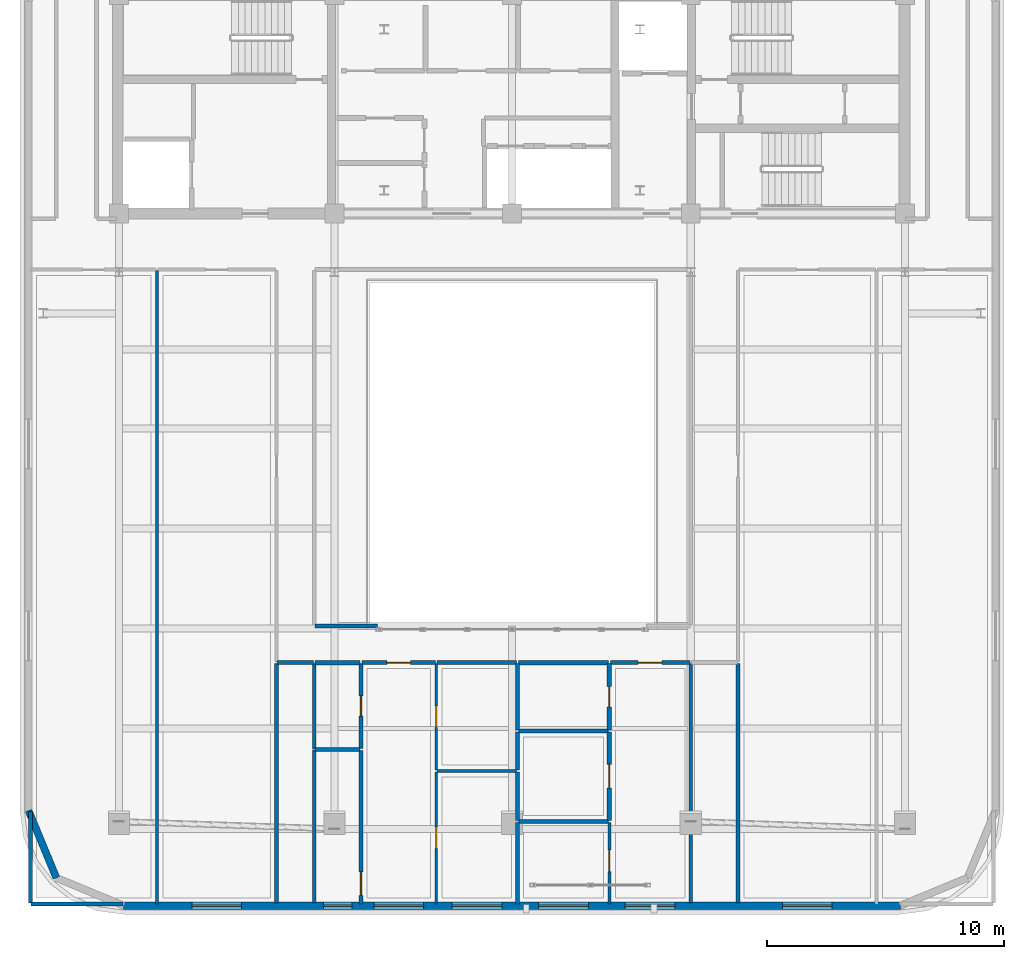
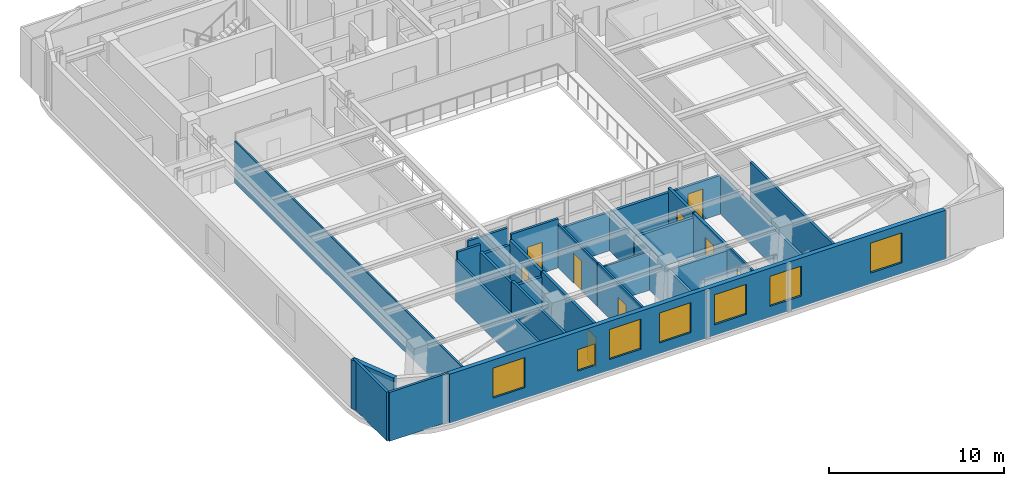
# One storey, part 6 of 12: 32 walls, 9 doors, 7 windows, 16 openings.
"""IFC4 building model written with IfcOpenShell, lengths in metres."""

from ifc_helpers import new_model, si_unit, direction, frame, frame_2d, origin, place, context, subcontext, project, spatial, rectangle, extrude, material, layer, layer_set, type_object, element, fill, save


model = new_model("IFC4")

# Units and contexts
model_context = context("Model", 3, precision=1e-05, world=origin(), true_north=direction((0.0, 1.0)))
body_context = subcontext(model_context, "Body", "Model", "MODEL_VIEW")
ifc_project = project(units=[si_unit("LENGTHUNIT", "METRE"), si_unit("AREAUNIT", "SQUARE_METRE"), si_unit("VOLUMEUNIT", "CUBIC_METRE"), si_unit("PLANEANGLEUNIT", "RADIAN"), si_unit("MASSUNIT", "GRAM", prefix="KILO")], contexts=[model_context])

# Site, building, storey
site_placement = place(None, origin())
site = spatial("IfcSite", under=ifc_project, at=site_placement, CompositionType="ELEMENT")
building_placement = place(site_placement, origin())
building = spatial("IfcBuilding", under=site, at=building_placement, Name="Zarnavel Station Tower", CompositionType="ELEMENT")
storey_placement = place(building_placement, frame((0.0, 0.0, 265.800048828125)))
storey = spatial("IfcBuildingStorey", under=building, at=storey_placement, Name="L72", CompositionType="ELEMENT", Elevation=265.800048828125)

# Wall
ifc_material_1 = material(Name="Precast concrete C45/55 (Dark Basalt Finish)", Category="masonry")
ifc_layer_1 = layer(ifc_material_1, 0.300048828125)
ifc_layer_set_1 = layer_set([ifc_layer_1], Name="EW_BASALT_300")
wall_type_1 = type_object("IfcWallType", Name="EW_BASALT_300", PredefinedType="SOLIDWALL", material=ifc_layer_set_1)
wall_1_placement = place(storey_placement, frame((9.557373046875, -0.24267578125, 0.0), z_axis=(0.0, 0.0, 1.0), x_axis=(-0.382676475685, 0.923882414032, 0.0)))
element("IfcWall", 1, at=wall_1_placement, inside=storey, type_object=wall_type_1, Name="L72 Exterior Basalt Masonry Frame Wall 10", PredefinedType="SOLIDWALL", context=body_context, shape_type="SweptSolid", body=[
    extrude(rectangle(XDim=3.076904296875, YDim=0.300048828125, at=frame_2d((1.53857421875, 0.0))), origin(), (0.0, 0.0, 1.0), 3.419921875),
])

# Wall, openings, windows
wall_2_placement = place(storey_placement, frame((45.199951171875, -1.419921875, 0.0), z_axis=(0.0, 0.0, 1.0), x_axis=(-1.0, 0.0, 0.0)))
wall_2 = element("IfcWall", 2, at=wall_2_placement, inside=storey, type_object=wall_type_1, Name="L72 Exterior Basalt Masonry Frame Wall 12", PredefinedType="SOLIDWALL", context=body_context, shape_type="SweptSolid", body=[
    extrude(rectangle(XDim=32.800048828125, YDim=0.300048828125, at=frame_2d((16.39990234375, 0.0))), origin(), (0.0, 0.0, 1.0), 3.419921875),
])
opening_1_placement = place(wall_2_placement, frame((27.824951171875, 0.0, 0.75)))
opening_1 = element("IfcOpeningElement", 3, at=opening_1_placement, cuts=wall_2, Name="Opening WN05", PredefinedType="OPENING", context=body_context, shape_type="SweptSolid", body=[
    extrude(rectangle(XDim=2.10009765625, YDim=2.10009765625, at=frame_2d((1.050048828125, 1.050048828125))), frame((0.0, 0.159912109375, 0.0), z_axis=(0.0, -1.0, 0.0), x_axis=(1.0, 0.0, 0.0)), (0.0, 0.0, 1.0), 0.320068359375),
])
opening_2_placement = place(wall_2_placement, frame((20.136474609375, 0.0, 0.75)))
opening_2 = element("IfcOpeningElement", 4, at=opening_2_placement, cuts=wall_2, Name="Opening WN05", PredefinedType="OPENING", context=body_context, shape_type="SweptSolid", body=[
    extrude(rectangle(XDim=2.10009765625, YDim=2.10009765625, at=frame_2d((1.050048828125, 1.050048828125))), frame((0.0, 0.159912109375, 0.0), z_axis=(0.0, -1.0, 0.0), x_axis=(1.0, 0.0, 0.0)), (0.0, 0.0, 1.0), 0.320068359375),
])
opening_3_placement = place(wall_2_placement, frame((23.16259765625, 0.0, 0.679931640625)))
opening_3 = element("IfcOpeningElement", 5, at=opening_3_placement, cuts=wall_2, Name="Opening WN08", PredefinedType="OPENING", context=body_context, shape_type="SweptSolid", body=[
    extrude(rectangle(XDim=1.199951171875, YDim=1.5, at=frame_2d((0.60009765625, 0.75))), frame((0.0, 0.159912109375, 0.0), z_axis=(0.0, -1.0, 0.0), x_axis=(1.0, 0.0, 0.0)), (0.0, 0.0, 1.0), 0.320068359375),
])
opening_4_placement = place(wall_2_placement, frame((16.8310546875, 0.0, 0.75)))
opening_4 = element("IfcOpeningElement", 6, at=opening_4_placement, cuts=wall_2, Name="Opening WN05", PredefinedType="OPENING", context=body_context, shape_type="SweptSolid", body=[
    extrude(rectangle(XDim=2.10009765625, YDim=2.10009765625, at=frame_2d((1.050048828125, 1.050048828125))), frame((0.0, 0.159912109375, 0.0), z_axis=(0.0, -1.0, 0.0), x_axis=(1.0, 0.0, 0.0)), (0.0, 0.0, 1.0), 0.320068359375),
])
opening_5_placement = place(wall_2_placement, frame((9.51904296875, 0.0, 0.75)))
opening_5 = element("IfcOpeningElement", 7, at=opening_5_placement, cuts=wall_2, Name="Opening WN05", PredefinedType="OPENING", context=body_context, shape_type="SweptSolid", body=[
    extrude(rectangle(XDim=2.10009765625, YDim=2.10009765625, at=frame_2d((1.050048828125, 1.050048828125))), frame((0.0, 0.159912109375, 0.0), z_axis=(0.0, -1.0, 0.0), x_axis=(1.0, 0.0, 0.0)), (0.0, 0.0, 1.0), 0.320068359375),
])
opening_6_placement = place(wall_2_placement, frame((13.176025390625, 0.0, 0.75)))
opening_6 = element("IfcOpeningElement", 8, at=opening_6_placement, cuts=wall_2, Name="Opening WN05", PredefinedType="OPENING", context=body_context, shape_type="SweptSolid", body=[
    extrude(rectangle(XDim=2.10009765625, YDim=2.10009765625, at=frame_2d((1.050048828125, 1.050048828125))), frame((0.0, 0.159912109375, 0.0), z_axis=(0.0, -1.0, 0.0), x_axis=(1.0, 0.0, 0.0)), (0.0, 0.0, 1.0), 0.320068359375),
])
opening_7_placement = place(wall_2_placement, frame((2.875, 0.0, 0.75)))
opening_7 = element("IfcOpeningElement", 9, at=opening_7_placement, cuts=wall_2, Name="Opening WN05", PredefinedType="OPENING", context=body_context, shape_type="SweptSolid", body=[
    extrude(rectangle(XDim=2.10009765625, YDim=2.10009765625, at=frame_2d((1.050048828125, 1.050048828125))), frame((0.0, 0.159912109375, 0.0), z_axis=(0.0, -1.0, 0.0), x_axis=(1.0, 0.0, 0.0)), (0.0, 0.0, 1.0), 0.320068359375),
])
ifc_material_2 = material(Name="Thermally Broken Black Aluminium and Low-E Dark Glass", Category="aluminium")
window_type_1 = type_object("IfcWindowType", Name="WN_1200x1500", PartitioningType="SINGLE_PANEL", PredefinedType="WINDOW", material=ifc_material_2)
window_1_placement = place(opening_3_placement, origin())
window_1 = element("IfcWindow", 10, at=window_1_placement, inside=storey, type_object=window_type_1, Name="L72 Recessed Facade Window 03", OverallHeight=1.5, OverallWidth=1.199951171875, PartitioningType="SINGLE_PANEL", PredefinedType="WINDOW", context=body_context, shape_type="SweptSolid", body=[
    extrude(rectangle(XDim=1.199951171875, YDim=1.5, at=frame_2d((0.60009765625, 0.75))), frame((0.0, 0.030029296875, 0.0), z_axis=(0.0, -1.0, 0.0), x_axis=(1.0, 0.0, 0.0)), (0.0, 0.0, 1.0), 0.06005859375),
])
fill(opening_3, window_1)
ifc_material_3 = material(Name="Thermally Broken Black Aluminium and Low-E Dark Glass", Category="aluminium")
window_type_2 = type_object("IfcWindowType", Name="WN_2100x2100", PartitioningType="TRIPLE_PANEL_VERTICAL", PredefinedType="WINDOW", material=ifc_material_3)
window_2_placement = place(opening_1_placement, origin())
window_2 = element("IfcWindow", 11, at=window_2_placement, inside=storey, type_object=window_type_2, Name="L72 Recessed Facade Window 01", OverallHeight=2.10009765625, OverallWidth=2.10009765625, PartitioningType="SINGLE_PANEL", PredefinedType="WINDOW", context=body_context, shape_type="SweptSolid", body=[
    extrude(rectangle(XDim=2.10009765625, YDim=2.10009765625, at=frame_2d((1.050048828125, 1.050048828125))), frame((0.0, 0.030029296875, 0.0), z_axis=(0.0, -1.0, 0.0), x_axis=(1.0, 0.0, 0.0)), (0.0, 0.0, 1.0), 0.06005859375),
])
fill(opening_1, window_2)
window_3_placement = place(opening_2_placement, origin())
window_3 = element("IfcWindow", 12, at=window_3_placement, inside=storey, type_object=window_type_2, Name="L72 Recessed Facade Window 02", OverallHeight=2.10009765625, OverallWidth=2.10009765625, PartitioningType="SINGLE_PANEL", PredefinedType="WINDOW", context=body_context, shape_type="SweptSolid", body=[
    extrude(rectangle(XDim=2.10009765625, YDim=2.10009765625, at=frame_2d((1.050048828125, 1.050048828125))), frame((0.0, 0.030029296875, 0.0), z_axis=(0.0, -1.0, 0.0), x_axis=(1.0, 0.0, 0.0)), (0.0, 0.0, 1.0), 0.06005859375),
])
fill(opening_2, window_3)
window_4_placement = place(opening_4_placement, origin())
window_4 = element("IfcWindow", 13, at=window_4_placement, inside=storey, type_object=window_type_2, Name="L72 Recessed Facade Window 04", OverallHeight=2.10009765625, OverallWidth=2.10009765625, PartitioningType="SINGLE_PANEL", PredefinedType="WINDOW", context=body_context, shape_type="SweptSolid", body=[
    extrude(rectangle(XDim=2.10009765625, YDim=2.10009765625, at=frame_2d((1.050048828125, 1.050048828125))), frame((0.0, 0.030029296875, 0.0), z_axis=(0.0, -1.0, 0.0), x_axis=(1.0, 0.0, 0.0)), (0.0, 0.0, 1.0), 0.06005859375),
])
fill(opening_4, window_4)
window_5_placement = place(opening_5_placement, origin())
window_5 = element("IfcWindow", 14, at=window_5_placement, inside=storey, type_object=window_type_2, Name="L72 Recessed Facade Window 05", OverallHeight=2.10009765625, OverallWidth=2.10009765625, PartitioningType="SINGLE_PANEL", PredefinedType="WINDOW", context=body_context, shape_type="SweptSolid", body=[
    extrude(rectangle(XDim=2.10009765625, YDim=2.10009765625, at=frame_2d((1.050048828125, 1.050048828125))), frame((0.0, 0.030029296875, 0.0), z_axis=(0.0, -1.0, 0.0), x_axis=(1.0, 0.0, 0.0)), (0.0, 0.0, 1.0), 0.06005859375),
])
fill(opening_5, window_5)
window_6_placement = place(opening_6_placement, origin())
window_6 = element("IfcWindow", 15, at=window_6_placement, inside=storey, type_object=window_type_2, Name="L72 Recessed Facade Window 06", OverallHeight=2.10009765625, OverallWidth=2.10009765625, PartitioningType="SINGLE_PANEL", PredefinedType="WINDOW", context=body_context, shape_type="SweptSolid", body=[
    extrude(rectangle(XDim=2.10009765625, YDim=2.10009765625, at=frame_2d((1.050048828125, 1.050048828125))), frame((0.0, 0.030029296875, 0.0), z_axis=(0.0, -1.0, 0.0), x_axis=(1.0, 0.0, 0.0)), (0.0, 0.0, 1.0), 0.06005859375),
])
fill(opening_6, window_6)
window_7_placement = place(opening_7_placement, origin())
window_7 = element("IfcWindow", 16, at=window_7_placement, inside=storey, type_object=window_type_2, Name="L72 Recessed Facade Window 07", OverallHeight=2.10009765625, OverallWidth=2.10009765625, PartitioningType="SINGLE_PANEL", PredefinedType="WINDOW", context=body_context, shape_type="SweptSolid", body=[
    extrude(rectangle(XDim=2.10009765625, YDim=2.10009765625, at=frame_2d((1.050048828125, 1.050048828125))), frame((0.0, 0.030029296875, 0.0), z_axis=(0.0, -1.0, 0.0), x_axis=(1.0, 0.0, 0.0)), (0.0, 0.0, 1.0), 0.06005859375),
])
fill(opening_7, window_7)

# Wall, opening, door
ifc_material_4 = material(Name="Gypsum Twin-Stud Acoustic Fire Partition", Category="concrete")
ifc_layer_2 = layer(ifc_material_4, 0.159912109375)
ifc_layer_set_2 = layer_set([ifc_layer_2], Name="PT_DEMISE_160")
wall_type_2 = type_object("IfcWallType", Name="PT_DEMISE_160", PredefinedType="PARTITIONING", material=ifc_layer_set_2)
wall_3_placement = place(storey_placement, frame((22.465087890625, 8.85009765625, 0.0), z_axis=(0.0, 0.0, 1.0), x_axis=(1.0, 0.0, 0.0)))
wall_3 = element("IfcWall", 17, at=wall_3_placement, inside=storey, type_object=wall_type_2, Name="L72 Partition COR-AS-US1ALV", PredefinedType="PARTITIONING", context=body_context, shape_type="SweptSolid", body=[
    extrude(rectangle(XDim=3.096923828125, YDim=0.159912109375, at=frame_2d((1.54833984375, 0.0))), origin(), (0.0, 0.0, 1.0), 3.419921875),
])
opening_8_placement = place(wall_3_placement, frame((1.048583984375, 0.0, 0.0)))
opening_8 = element("IfcOpeningElement", 18, at=opening_8_placement, cuts=wall_3, Name="Opening FD02", PredefinedType="OPENING", context=body_context, shape_type="SweptSolid", body=[
    extrude(rectangle(XDim=1.0, YDim=2.14990234375, at=frame_2d((0.5, 1.074951171875))), frame((0.0, 0.08984375, 0.0), z_axis=(0.0, -1.0, 0.0), x_axis=(1.0, 0.0, 0.0)), (0.0, 0.0, 1.0), 0.179931640625),
])
ifc_material_5 = material(Name="Painted Galvanised Steel and Hardwood Leaf", Category="steel")
door_type_1 = type_object("IfcDoorType", Name="ID_ENTRY_1000", OperationType="NOTDEFINED", PredefinedType="DOOR", material=ifc_material_5)
door_1_placement = place(opening_8_placement, origin())
door_1 = element("IfcDoor", 19, at=door_1_placement, inside=storey, type_object=door_type_1, Name="L72 Door COR-AS-US1ALV", OperationType="SINGLE_SWING_LEFT", OverallHeight=2.14990234375, OverallWidth=1.0, PredefinedType="DOOR", context=body_context, shape_type="SweptSolid", body=[
    extrude(rectangle(XDim=1.0, YDim=2.14990234375, at=frame_2d((0.5, 1.074951171875))), frame((0.0, 0.02490234375, 0.0), z_axis=(0.0, -1.0, 0.0), x_axis=(1.0, 0.0, 0.0)), (0.0, 0.0, 1.0), 0.050048828125),
])
fill(opening_8, door_1)

# Wall
wall_4_placement = place(storey_placement, frame((25.64208984375, 8.85009765625, 0.0), z_axis=(0.0, 0.0, 1.0), x_axis=(1.0, 0.0, 0.0)))
element("IfcWall", 20, at=wall_4_placement, inside=storey, type_object=wall_type_2, Name="L72 Partition COR-AS-US1AB2", PredefinedType="PARTITIONING", context=body_context, shape_type="SweptSolid", body=[
    extrude(rectangle(XDim=3.35400390625, YDim=0.159912109375, at=frame_2d((1.677001953125, 0.0))), origin(), (0.0, 0.0, 1.0), 2.699951171875),
])

# Wall, opening, door
wall_5_placement = place(storey_placement, frame((32.951904296875, 8.85009765625, 0.0), z_axis=(0.0, 0.0, 1.0), x_axis=(1.0, 0.0, 0.0)))
wall_5 = element("IfcWall", 21, at=wall_5_placement, inside=storey, type_object=wall_type_2, Name="L72 Partition COR-AS-US1BLV", PredefinedType="PARTITIONING", context=body_context, shape_type="SweptSolid", body=[
    extrude(rectangle(XDim=3.358154296875, YDim=0.159912109375, at=frame_2d((1.67919921875, 0.0))), origin(), (0.0, 0.0, 1.0), 2.699951171875),
])
opening_9_placement = place(wall_5_placement, frame((1.178955078125, 0.0, 0.0)))
opening_9 = element("IfcOpeningElement", 22, at=opening_9_placement, cuts=wall_5, Name="Opening FD02", PredefinedType="OPENING", context=body_context, shape_type="SweptSolid", body=[
    extrude(rectangle(XDim=1.0, YDim=2.14990234375, at=frame_2d((0.5, 1.074951171875))), frame((0.0, 0.08984375, 0.0), z_axis=(0.0, -1.0, 0.0), x_axis=(1.0, 0.0, 0.0)), (0.0, 0.0, 1.0), 0.179931640625),
])
door_2_placement = place(opening_9_placement, origin())
door_2 = element("IfcDoor", 23, at=door_2_placement, inside=storey, type_object=door_type_1, Name="L72 Door COR-AS-US1BLV", OperationType="SINGLE_SWING_RIGHT", OverallHeight=2.14990234375, OverallWidth=1.0, PredefinedType="DOOR", context=body_context, shape_type="SweptSolid", body=[
    extrude(rectangle(XDim=1.0, YDim=2.14990234375, at=frame_2d((0.5, 1.074951171875))), frame((0.0, 0.02490234375, 0.0), z_axis=(0.0, -1.0, 0.0), x_axis=(1.0, 0.0, 0.0)), (0.0, 0.0, 1.0), 0.050048828125),
])
fill(opening_9, door_2)

# Walls
wall_6_placement = place(storey_placement, frame((29.035888671875, -1.340087890625, 0.0), z_axis=(0.0, 0.0, 1.0), x_axis=(0.0, 1.0, 0.0)))
element("IfcWall", 24, at=wall_6_placement, inside=storey, type_object=wall_type_2, Name="L72 Partition US1AB1-US1BB1", PredefinedType="PARTITIONING", context=body_context, shape_type="SweptSolid", body=[
    extrude(rectangle(XDim=3.443115234375, YDim=0.159912109375, at=frame_2d((1.7216796875, 0.0))), origin(), (0.0, 0.0, 1.0), 2.699951171875),
])
wall_7_placement = place(storey_placement, frame((18.8798828125, 8.85009765625, 0.0), z_axis=(0.0, 0.0, 1.0), x_axis=(1.0, 0.0, 0.0)))
element("IfcWall", 25, at=wall_7_placement, inside=storey, type_object=wall_type_2, Name="L72 Enclosure Wall COR-AW", PredefinedType="PARTITIONING", context=body_context, shape_type="SweptSolid", body=[
    extrude(rectangle(XDim=1.5400390625, YDim=0.159912109375, at=frame_2d((0.77001953125, 0.0))), origin(), (0.0, 0.0, 1.0), 3.419921875),
])
wall_8_placement = place(storey_placement, frame((20.47998046875, 10.39990234375, 0.0), z_axis=(0.0, 0.0, 1.0), x_axis=(1.0, 0.0, 0.0)))
element("IfcWall", 26, at=wall_8_placement, inside=storey, type_object=wall_type_2, Name="L72 Enclosure Wall COR-AS", PredefinedType="PARTITIONING", context=body_context, shape_type="SweptSolid", body=[
    extrude(rectangle(XDim=2.64013671875, YDim=0.159912109375, at=frame_2d((1.320068359375, 0.0))), origin(), (0.0, 0.0, 1.0), 2.699951171875),
])
for number, where, z_axis, x_axis, name in (
    (27, (8.489990234375, -1.340087890625, 0.0), (0.0, 0.0, 1.0), (1.0, 0.0, 0.0), "L72 Enclosure Wall L71GAL"),
    (28, (8.4599609375, -1.31005859375, 0.0), (0.0, 0.0, 1.0), (0.0, 1.0, 0.0), "L72 Enclosure Wall L71GAL"),
):
    element("IfcWall", number, at=place(storey_placement, frame(where, z_axis=z_axis, x_axis=x_axis)), inside=storey, type_object=wall_type_2, Name=name, PredefinedType="PARTITIONING", context=body_context, shape_type="SweptSolid", body=[
        extrude(rectangle(XDim=3.880126953125, YDim=0.159912109375, at=frame_2d((1.93994140625, 0.0))), origin(), (0.0, 0.0, 1.0), 3.419921875),
    ])
wall_9_placement = place(storey_placement, frame((18.85009765625, -1.31005859375, 0.0), z_axis=(0.0, 0.0, 1.0), x_axis=(0.0, 1.0, 0.0)))
element("IfcWall", 29, at=wall_9_placement, inside=storey, type_object=wall_type_2, Name="L72 Enclosure Wall L71GYM", PredefinedType="PARTITIONING", context=body_context, shape_type="SweptSolid", body=[
    extrude(rectangle(XDim=10.130126953125, YDim=0.159912109375, at=frame_2d((5.06494140625, 0.0))), origin(), (0.0, 0.0, 1.0), 2.909912109375),
])
wall_10_placement = place(storey_placement, frame((20.449951171875, -1.31005859375, 0.0), z_axis=(0.0, 0.0, 1.0), x_axis=(0.0, 1.0, 0.0)))
element("IfcWall", 30, at=wall_10_placement, inside=storey, type_object=wall_type_2, Name="L72 Enclosure Wall US1AKT", PredefinedType="PARTITIONING", context=body_context, shape_type="SweptSolid", body=[
    extrude(rectangle(XDim=6.462158203125, YDim=0.159912109375, at=frame_2d((3.23095703125, 0.0))), origin(), (0.0, 0.0, 1.0), 3.079833984375),
])
wall_11_placement = place(storey_placement, frame((20.449951171875, 5.2119140625, 0.0), z_axis=(0.0, 0.0, 1.0), x_axis=(0.0, 1.0, 0.0)))
element("IfcWall", 31, at=wall_11_placement, inside=storey, type_object=wall_type_2, Name="L72 Enclosure Wall US1ABA", PredefinedType="PARTITIONING", context=body_context, shape_type="SweptSolid", body=[
    extrude(rectangle(XDim=3.608154296875, YDim=0.159912109375, at=frame_2d((1.80419921875, 0.0))), origin(), (0.0, 0.0, 1.0), 2.909912109375),
])
wall_12_placement = place(storey_placement, frame((36.35009765625, -1.31005859375, 0.0), z_axis=(0.0, 0.0, 1.0), x_axis=(0.0, 1.0, 0.0)))
element("IfcWall", 32, at=wall_12_placement, inside=storey, type_object=wall_type_2, Name="L72 Enclosure Wall US1BLV", PredefinedType="PARTITIONING", context=body_context, shape_type="SweptSolid", body=[
    extrude(rectangle(XDim=10.130126953125, YDim=0.159912109375, at=frame_2d((5.06494140625, 0.0))), origin(), (0.0, 0.0, 1.0), 2.699951171875),
])
wall_13_placement = place(storey_placement, frame((38.35009765625, -1.31005859375, 0.0), z_axis=(0.0, 0.0, 1.0), x_axis=(0.0, 1.0, 0.0)))
element("IfcWall", 33, at=wall_13_placement, inside=storey, type_object=wall_type_2, Name="L72 Enclosure Wall L71SPA", PredefinedType="PARTITIONING", context=body_context, shape_type="SweptSolid", body=[
    extrude(rectangle(XDim=10.130126953125, YDim=0.159912109375, at=frame_2d((5.06494140625, 0.0))), origin(), (0.0, 0.0, 1.0), 2.909912109375),
])
ifc_material_6 = material(Name="Gypsum Metal-Stud Interior Partition", Category="concrete")
ifc_layer_3 = layer(ifc_material_6, 0.1201171875)
ifc_layer_set_3 = layer_set([ifc_layer_3], Name="PT_ROOM_120")
wall_type_3 = type_object("IfcWallType", Name="PT_ROOM_120", PredefinedType="PARTITIONING", material=ifc_layer_set_3)
wall_14_placement = place(storey_placement, frame((13.800048828125, -1.340087890625, 0.0), z_axis=(0.0, 0.0, 1.0), x_axis=(0.0, 1.0, 0.0)))
element("IfcWall", 34, at=wall_14_placement, inside=storey, type_object=wall_type_3, Name="L72 Partition L71GAL-L71GYM", PredefinedType="PARTITIONING", context=body_context, shape_type="SweptSolid", body=[
    extrude(rectangle(XDim=26.75, YDim=0.1201171875, at=frame_2d((13.375, 0.0))), origin(), (0.0, 0.0, 1.0), 2.909912109375),
])

# Wall, opening, door
wall_15_placement = place(storey_placement, frame((25.60205078125, -1.340087890625, 0.0), z_axis=(0.0, 0.0, 1.0), x_axis=(0.0, 1.0, 0.0)))
wall_15 = element("IfcWall", 35, at=wall_15_placement, inside=storey, type_object=wall_type_3, Name="L72 Partition US1ALV-US1AB1", PredefinedType="PARTITIONING", context=body_context, shape_type="SweptSolid", body=[
    extrude(rectangle(XDim=5.5791015625, YDim=0.1201171875, at=frame_2d((2.78955078125, 0.0))), origin(), (0.0, 0.0, 1.0), 3.079833984375),
])
opening_10_placement = place(wall_15_placement, frame((2.339599609375, 0.0, 0.0)))
opening_10 = element("IfcOpeningElement", 36, at=opening_10_placement, cuts=wall_15, Name="Opening ID01", PredefinedType="OPENING", context=body_context, shape_type="SweptSolid", body=[
    extrude(rectangle(XDim=0.89990234375, YDim=2.10009765625, at=frame_2d((0.449951171875, 1.050048828125))), frame((0.0, 0.070068359375, 0.0), z_axis=(0.0, -1.0, 0.0), x_axis=(1.0, 0.0, 0.0)), (0.0, 0.0, 1.0), 0.14013671875),
])
ifc_material_7 = material(Name="Painted Galvanised Steel and Hardwood Leaf", Category="steel")
door_type_2 = type_object("IfcDoorType", Name="ID_ROOM_900", OperationType="NOTDEFINED", PredefinedType="DOOR", material=ifc_material_7)
door_3_placement = place(opening_10_placement, origin())
door_3 = element("IfcDoor", 37, at=door_3_placement, inside=storey, type_object=door_type_2, Name="L72 Door US1ALV-US1AB1", OperationType="SINGLE_SWING_RIGHT", OverallHeight=2.10009765625, OverallWidth=0.89990234375, PredefinedType="DOOR", context=body_context, shape_type="SweptSolid", body=[
    extrude(rectangle(XDim=0.89990234375, YDim=2.10009765625, at=frame_2d((0.449951171875, 1.050048828125))), frame((0.0, 0.02490234375, 0.0), z_axis=(0.0, -1.0, 0.0), x_axis=(1.0, 0.0, 0.0)), (0.0, 0.0, 1.0), 0.050048828125),
])
fill(opening_10, door_3)

wall_16_placement = place(storey_placement, frame((25.60205078125, 4.319091796875, 0.0), z_axis=(0.0, 0.0, 1.0), x_axis=(0.0, 1.0, 0.0)))
wall_16 = element("IfcWall", 38, at=wall_16_placement, inside=storey, type_object=wall_type_3, Name="L72 Partition US1ALV-US1AB2", PredefinedType="PARTITIONING", context=body_context, shape_type="SweptSolid", body=[
    extrude(rectangle(XDim=4.490966796875, YDim=0.1201171875, at=frame_2d((2.24560546875, 0.0))), origin(), (0.0, 0.0, 1.0), 3.0400390625),
])
opening_11_placement = place(wall_16_placement, frame((1.79541015625, 0.0, 0.0)))
opening_11 = element("IfcOpeningElement", 39, at=opening_11_placement, cuts=wall_16, Name="Opening ID01", PredefinedType="OPENING", context=body_context, shape_type="SweptSolid", body=[
    extrude(rectangle(XDim=0.89990234375, YDim=2.10009765625, at=frame_2d((0.449951171875, 1.050048828125))), frame((0.0, 0.070068359375, 0.0), z_axis=(0.0, -1.0, 0.0), x_axis=(1.0, 0.0, 0.0)), (0.0, 0.0, 1.0), 0.14013671875),
])
door_4_placement = place(opening_11_placement, origin())
door_4 = element("IfcDoor", 40, at=door_4_placement, inside=storey, type_object=door_type_2, Name="L72 Door US1ALV-US1AB2", OperationType="SINGLE_SWING_LEFT", OverallHeight=2.10009765625, OverallWidth=0.89990234375, PredefinedType="DOOR", context=body_context, shape_type="SweptSolid", body=[
    extrude(rectangle(XDim=0.89990234375, YDim=2.10009765625, at=frame_2d((0.449951171875, 1.050048828125))), frame((0.0, 0.02490234375, 0.0), z_axis=(0.0, -1.0, 0.0), x_axis=(1.0, 0.0, 0.0)), (0.0, 0.0, 1.0), 0.050048828125),
])
fill(opening_11, door_4)

# Wall
wall_17_placement = place(storey_placement, frame((25.64208984375, 4.279052734375, 0.0), z_axis=(0.0, 0.0, 1.0), x_axis=(1.0, 0.0, 0.0)))
element("IfcWall", 41, at=wall_17_placement, inside=storey, type_object=wall_type_3, Name="L72 Partition US1AB1-US1AB2", PredefinedType="PARTITIONING", context=body_context, shape_type="SweptSolid", body=[
    extrude(rectangle(XDim=3.35400390625, YDim=0.1201171875, at=frame_2d((1.677001953125, 0.0))), origin(), (0.0, 0.0, 1.0), 2.699951171875),
])

# Wall, opening, door
wall_18_placement = place(storey_placement, frame((32.912109375, -1.340087890625, 0.0), z_axis=(0.0, 0.0, 1.0), x_axis=(0.0, 1.0, 0.0)))
wall_18 = element("IfcWall", 42, at=wall_18_placement, inside=storey, type_object=wall_type_3, Name="L72 Partition US1BLV-US1BB1", PredefinedType="PARTITIONING", context=body_context, shape_type="SweptSolid", body=[
    extrude(rectangle(XDim=3.443115234375, YDim=0.1201171875, at=frame_2d((1.7216796875, 0.0))), origin(), (0.0, 0.0, 1.0), 3.079833984375),
])
opening_12_placement = place(wall_18_placement, frame((1.36572265625, 0.0, 0.0)))
opening_12 = element("IfcOpeningElement", 43, at=opening_12_placement, cuts=wall_18, Name="Opening ID01", PredefinedType="OPENING", context=body_context, shape_type="SweptSolid", body=[
    extrude(rectangle(XDim=0.89990234375, YDim=2.10009765625, at=frame_2d((0.449951171875, 1.050048828125))), frame((0.0, 0.070068359375, 0.0), z_axis=(0.0, -1.0, 0.0), x_axis=(1.0, 0.0, 0.0)), (0.0, 0.0, 1.0), 0.14013671875),
])
door_5_placement = place(opening_12_placement, origin())
door_5 = element("IfcDoor", 44, at=door_5_placement, inside=storey, type_object=door_type_2, Name="L72 Door US1BLV-US1BB1", OperationType="SINGLE_SWING_RIGHT", OverallHeight=2.10009765625, OverallWidth=0.89990234375, PredefinedType="DOOR", context=body_context, shape_type="SweptSolid", body=[
    extrude(rectangle(XDim=0.89990234375, YDim=2.10009765625, at=frame_2d((0.449951171875, 1.050048828125))), frame((0.0, 0.02490234375, 0.0), z_axis=(0.0, -1.0, 0.0), x_axis=(1.0, 0.0, 0.0)), (0.0, 0.0, 1.0), 0.050048828125),
])
fill(opening_12, door_5)

# Walls
ifc_material_8 = material(Name="Moisture-Resistant Plumbing Chase Wall", Category="concrete")
ifc_layer_4 = layer(ifc_material_8, 0.179931640625)
ifc_layer_set_4 = layer_set([ifc_layer_4], Name="PW_PLUMB_180")
wall_type_4 = type_object("IfcWallType", Name="PW_PLUMB_180", PredefinedType="PLUMBINGWALL", material=ifc_layer_set_4)
wall_19_placement = place(storey_placement, frame((20.489990234375, 8.85009765625, 0.0), z_axis=(0.0, 0.0, 1.0), x_axis=(1.0, 0.0, 0.0)))
element("IfcWall", 45, at=wall_19_placement, inside=storey, type_object=wall_type_4, Name="L72 Partition COR-AS-US1ABA", PredefinedType="PLUMBINGWALL", context=body_context, shape_type="SweptSolid", body=[
    extrude(rectangle(XDim=1.89501953125, YDim=0.179931640625, at=frame_2d((0.947509765625, 0.0))), origin(), (0.0, 0.0, 1.0), 2.699951171875),
])
wall_20_placement = place(storey_placement, frame((29.075927734375, 8.85009765625, 0.0), z_axis=(0.0, 0.0, 1.0), x_axis=(1.0, 0.0, 0.0)))
element("IfcWall", 46, at=wall_20_placement, inside=storey, type_object=wall_type_4, Name="L72 Partition COR-AS-US1BBA", PredefinedType="PLUMBINGWALL", context=body_context, shape_type="SweptSolid", body=[
    extrude(rectangle(XDim=3.796142578125, YDim=0.179931640625, at=frame_2d((1.89794921875, 0.0))), origin(), (0.0, 0.0, 1.0), 2.699951171875),
])

# Wall, opening, door
wall_21_placement = place(storey_placement, frame((22.425048828125, -1.340087890625, 0.0), z_axis=(0.0, 0.0, 1.0), x_axis=(0.0, 1.0, 0.0)))
wall_21 = element("IfcWall", 47, at=wall_21_placement, inside=storey, type_object=wall_type_4, Name="L72 Partition US1ALV-US1AKT", PredefinedType="PLUMBINGWALL", context=body_context, shape_type="SweptSolid", body=[
    extrude(rectangle(XDim=6.482177734375, YDim=0.179931640625, at=frame_2d((3.2412109375, 0.0))), origin(), (0.0, 0.0, 1.0), 3.079833984375),
])
opening_13_placement = place(wall_21_placement, frame((0.356689453125, 0.0, 0.0)))
opening_13 = element("IfcOpeningElement", 48, at=opening_13_placement, cuts=wall_21, Name="Opening FD02", PredefinedType="OPENING", context=body_context, shape_type="SweptSolid", body=[
    extrude(rectangle(XDim=1.0, YDim=2.14990234375, at=frame_2d((0.5, 1.074951171875))), frame((0.0, 0.099853515625, 0.0), z_axis=(0.0, -1.0, 0.0), x_axis=(1.0, 0.0, 0.0)), (0.0, 0.0, 1.0), 0.199951171875),
])
door_6_placement = place(opening_13_placement, origin())
door_6 = element("IfcDoor", 49, at=door_6_placement, inside=storey, type_object=door_type_1, Name="L72 Door US1ALV-US1AKT", OperationType="SINGLE_SWING_RIGHT", OverallHeight=2.14990234375, OverallWidth=1.0, PredefinedType="DOOR", context=body_context, shape_type="SweptSolid", body=[
    extrude(rectangle(XDim=1.0, YDim=2.14990234375, at=frame_2d((0.5, 1.074951171875))), frame((0.0, 0.02490234375, 0.0), z_axis=(0.0, -1.0, 0.0), x_axis=(1.0, 0.0, 0.0)), (0.0, 0.0, 1.0), 0.050048828125),
])
fill(opening_13, door_6)

wall_22_placement = place(storey_placement, frame((22.425048828125, 5.221923828125, 0.0), z_axis=(0.0, 0.0, 1.0), x_axis=(0.0, 1.0, 0.0)))
wall_22 = element("IfcWall", 50, at=wall_22_placement, inside=storey, type_object=wall_type_4, Name="L72 Partition US1ALV-US1ABA", PredefinedType="PLUMBINGWALL", context=body_context, shape_type="SweptSolid", body=[
    extrude(rectangle(XDim=3.588134765625, YDim=0.179931640625, at=frame_2d((1.7939453125, 0.0))), origin(), (0.0, 0.0, 1.0), 3.0400390625),
])
opening_14_placement = place(wall_22_placement, frame((1.368896484375, 0.0, 0.0)))
opening_14 = element("IfcOpeningElement", 51, at=opening_14_placement, cuts=wall_22, Name="Opening ID02", PredefinedType="OPENING", context=body_context, shape_type="SweptSolid", body=[
    extrude(rectangle(XDim=0.85009765625, YDim=2.10009765625, at=frame_2d((0.425048828125, 1.050048828125))), frame((0.0, 0.099853515625, 0.0), z_axis=(0.0, -1.0, 0.0), x_axis=(1.0, 0.0, 0.0)), (0.0, 0.0, 1.0), 0.199951171875),
])
ifc_material_9 = material(Name="Painted Galvanised Steel and Hardwood Leaf", Category="steel")
door_type_3 = type_object("IfcDoorType", Name="ID_BATH_850", OperationType="NOTDEFINED", PredefinedType="DOOR", material=ifc_material_9)
door_7_placement = place(opening_14_placement, origin())
door_7 = element("IfcDoor", 52, at=door_7_placement, inside=storey, type_object=door_type_3, Name="L72 Door US1ALV-US1ABA", OperationType="SINGLE_SWING_LEFT", OverallHeight=2.10009765625, OverallWidth=0.85009765625, PredefinedType="DOOR", context=body_context, shape_type="SweptSolid", body=[
    extrude(rectangle(XDim=0.85009765625, YDim=2.10009765625, at=frame_2d((0.425048828125, 1.050048828125))), frame((0.0, 0.02490234375, 0.0), z_axis=(0.0, -1.0, 0.0), x_axis=(1.0, 0.0, 0.0)), (0.0, 0.0, 1.0), 0.050048828125),
])
fill(opening_14, door_7)

# Walls
wall_23_placement = place(storey_placement, frame((20.489990234375, 5.181884765625, 0.0), z_axis=(0.0, 0.0, 1.0), x_axis=(1.0, 0.0, 0.0)))
element("IfcWall", 53, at=wall_23_placement, inside=storey, type_object=wall_type_4, Name="L72 Partition US1AKT-US1ABA", PredefinedType="PLUMBINGWALL", context=body_context, shape_type="SweptSolid", body=[
    extrude(rectangle(XDim=1.89501953125, YDim=0.179931640625, at=frame_2d((0.947509765625, 0.0))), origin(), (0.0, 0.0, 1.0), 2.699951171875),
])
wall_24_placement = place(storey_placement, frame((29.035888671875, 2.18310546875, 0.0), z_axis=(0.0, 0.0, 1.0), x_axis=(0.0, 1.0, 0.0)))
element("IfcWall", 54, at=wall_24_placement, inside=storey, type_object=wall_type_4, Name="L72 Partition US1AB1-US1BKT", PredefinedType="PLUMBINGWALL", context=body_context, shape_type="SweptSolid", body=[
    extrude(rectangle(XDim=2.055908203125, YDim=0.179931640625, at=frame_2d((1.02783203125, 0.0))), origin(), (0.0, 0.0, 1.0), 2.699951171875),
])
wall_25_placement = place(storey_placement, frame((29.035888671875, 4.319091796875, 0.0), z_axis=(0.0, 0.0, 1.0), x_axis=(0.0, 1.0, 0.0)))
element("IfcWall", 55, at=wall_25_placement, inside=storey, type_object=wall_type_4, Name="L72 Partition US1AB2-US1BKT", PredefinedType="PLUMBINGWALL", context=body_context, shape_type="SweptSolid", body=[
    extrude(rectangle(XDim=1.60693359375, YDim=0.179931640625, at=frame_2d((0.803466796875, 0.0))), origin(), (0.0, 0.0, 1.0), 2.699951171875),
])
wall_26_placement = place(storey_placement, frame((29.035888671875, 6.006103515625, 0.0), z_axis=(0.0, 0.0, 1.0), x_axis=(0.0, 1.0, 0.0)))
element("IfcWall", 56, at=wall_26_placement, inside=storey, type_object=wall_type_4, Name="L72 Partition US1AB2-US1BBA", PredefinedType="PLUMBINGWALL", context=body_context, shape_type="SweptSolid", body=[
    extrude(rectangle(XDim=2.803955078125, YDim=0.179931640625, at=frame_2d((1.40185546875, 0.0))), origin(), (0.0, 0.0, 1.0), 2.699951171875),
])

# Wall, opening, door
wall_27_placement = place(storey_placement, frame((32.912109375, 2.18310546875, 0.0), z_axis=(0.0, 0.0, 1.0), x_axis=(0.0, 1.0, 0.0)))
wall_27 = element("IfcWall", 57, at=wall_27_placement, inside=storey, type_object=wall_type_4, Name="L72 Partition US1BLV-US1BKT", PredefinedType="PLUMBINGWALL", context=body_context, shape_type="SweptSolid", body=[
    extrude(rectangle(XDim=3.742919921875, YDim=0.179931640625, at=frame_2d((1.87158203125, 0.0))), origin(), (0.0, 0.0, 1.0), 3.0400390625),
])
opening_15_placement = place(wall_27_placement, frame((1.37158203125, 0.0, 0.0)))
opening_15 = element("IfcOpeningElement", 58, at=opening_15_placement, cuts=wall_27, Name="Opening FD02", PredefinedType="OPENING", context=body_context, shape_type="SweptSolid", body=[
    extrude(rectangle(XDim=1.0, YDim=2.14990234375, at=frame_2d((0.5, 1.074951171875))), frame((0.0, 0.099853515625, 0.0), z_axis=(0.0, -1.0, 0.0), x_axis=(1.0, 0.0, 0.0)), (0.0, 0.0, 1.0), 0.199951171875),
])
door_8_placement = place(opening_15_placement, origin())
door_8 = element("IfcDoor", 59, at=door_8_placement, inside=storey, type_object=door_type_1, Name="L72 Door US1BLV-US1BKT", OperationType="SINGLE_SWING_LEFT", OverallHeight=2.14990234375, OverallWidth=1.0, PredefinedType="DOOR", context=body_context, shape_type="SweptSolid", body=[
    extrude(rectangle(XDim=1.0, YDim=2.14990234375, at=frame_2d((0.5, 1.074951171875))), frame((0.0, 0.02490234375, 0.0), z_axis=(0.0, -1.0, 0.0), x_axis=(1.0, 0.0, 0.0)), (0.0, 0.0, 1.0), 0.050048828125),
])
fill(opening_15, door_8)

wall_28_placement = place(storey_placement, frame((32.912109375, 6.006103515625, 0.0), z_axis=(0.0, 0.0, 1.0), x_axis=(0.0, 1.0, 0.0)))
wall_28 = element("IfcWall", 60, at=wall_28_placement, inside=storey, type_object=wall_type_4, Name="L72 Partition US1BLV-US1BBA", PredefinedType="PLUMBINGWALL", context=body_context, shape_type="SweptSolid", body=[
    extrude(rectangle(XDim=2.803955078125, YDim=0.179931640625, at=frame_2d((1.40185546875, 0.0))), origin(), (0.0, 0.0, 1.0), 3.0400390625),
])
opening_16_placement = place(wall_28_placement, frame((0.97705078125, 0.0, 0.0)))
opening_16 = element("IfcOpeningElement", 61, at=opening_16_placement, cuts=wall_28, Name="Opening ID02", PredefinedType="OPENING", context=body_context, shape_type="SweptSolid", body=[
    extrude(rectangle(XDim=0.85009765625, YDim=2.10009765625, at=frame_2d((0.425048828125, 1.050048828125))), frame((0.0, 0.099853515625, 0.0), z_axis=(0.0, -1.0, 0.0), x_axis=(1.0, 0.0, 0.0)), (0.0, 0.0, 1.0), 0.199951171875),
])
door_9_placement = place(opening_16_placement, origin())
door_9 = element("IfcDoor", 62, at=door_9_placement, inside=storey, type_object=door_type_3, Name="L72 Door US1BLV-US1BBA", OperationType="SINGLE_SWING_RIGHT", OverallHeight=2.10009765625, OverallWidth=0.85009765625, PredefinedType="DOOR", context=body_context, shape_type="SweptSolid", body=[
    extrude(rectangle(XDim=0.85009765625, YDim=2.10009765625, at=frame_2d((0.425048828125, 1.050048828125))), frame((0.0, 0.02490234375, 0.0), z_axis=(0.0, -1.0, 0.0), x_axis=(1.0, 0.0, 0.0)), (0.0, 0.0, 1.0), 0.050048828125),
])
fill(opening_16, door_9)

# Walls
for number, where, z_axis, x_axis, name in (
    (63, (29.075927734375, 2.14306640625, 0.0), (0.0, 0.0, 1.0), (1.0, 0.0, 0.0), "L72 Partition US1BB1-US1BKT"),
    (64, (29.075927734375, 5.966064453125, 0.0), (0.0, 0.0, 1.0), (1.0, 0.0, 0.0), "L72 Partition US1BKT-US1BBA"),
):
    element("IfcWall", number, at=place(storey_placement, frame(where, z_axis=z_axis, x_axis=x_axis)), inside=storey, type_object=wall_type_4, Name=name, PredefinedType="PLUMBINGWALL", context=body_context, shape_type="SweptSolid", body=[
        extrude(rectangle(XDim=3.796142578125, YDim=0.179931640625, at=frame_2d((1.89794921875, 0.0))), origin(), (0.0, 0.0, 1.0), 2.699951171875),
    ])

save(model, "model.ifc")
